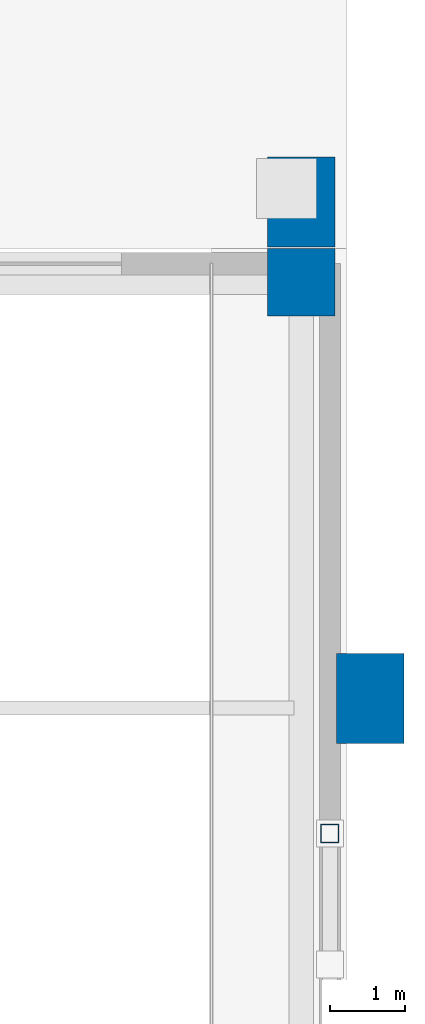
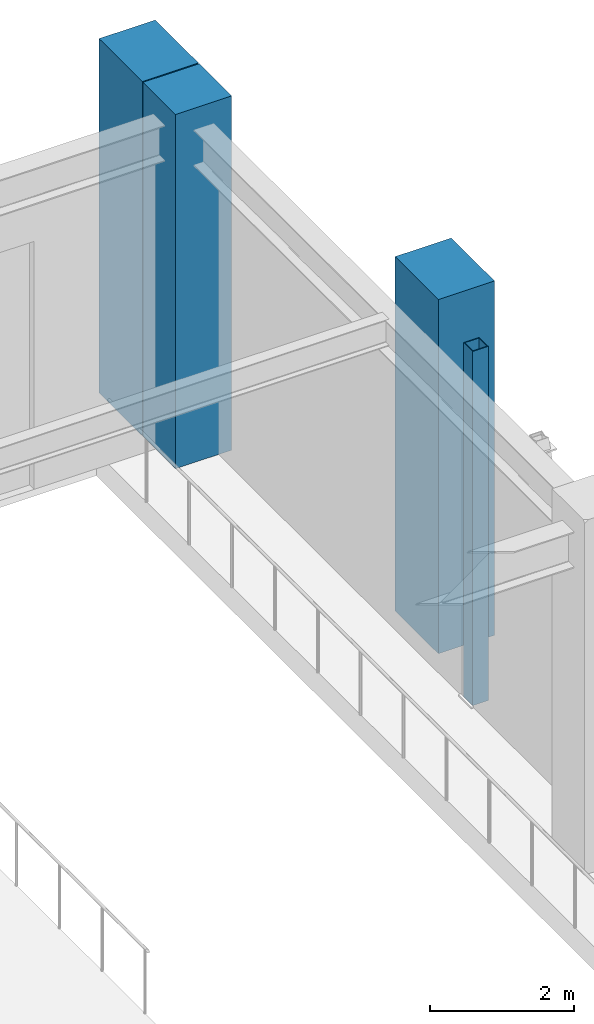
# One storey, part 20 of 143: 4 columns.
"""IFC4 building model written with IfcOpenShell, lengths in metres."""

from ifc_helpers import new_model, si_unit, derived_unit, direction, frame, origin, origin_2d, place, context, subcontext, project, spatial, rectangle, hollow_rectangle, extrude, material, material_profile, profile_set, type_object, element, save


model = new_model("IFC4")

# Units and contexts
model_context = context("Model", 3, precision=1e-05, world=origin(), true_north=direction((0.0, 1.0)))
body_context = subcontext(model_context, "Body", "Model", "MODEL_VIEW")
ifc_project = project(units=[si_unit("LENGTHUNIT", "METRE"), si_unit("AREAUNIT", "SQUARE_METRE"), si_unit("VOLUMEUNIT", "CUBIC_METRE"), si_unit("PLANEANGLEUNIT", "RADIAN"), si_unit("MASSUNIT", "GRAM", prefix="KILO"), derived_unit("THERMALTRANSMITTANCEUNIT", [(si_unit("MASSUNIT", "GRAM", prefix="KILO"), 1), (si_unit("TIMEUNIT", "SECOND"), -3), (si_unit("THERMODYNAMICTEMPERATUREUNIT", "KELVIN"), -1)])], contexts=[model_context])

# Site, building, storey
site_placement = place(None, origin())
site = spatial("IfcSite", under=ifc_project, at=site_placement, CompositionType="ELEMENT")
building_placement = place(site_placement, origin())
building = spatial("IfcBuilding", under=site, at=building_placement, Name="Valcora Ridge Arena", CompositionType="ELEMENT")
storey_placement = place(building_placement, origin())
storey = spatial("IfcBuildingStorey", under=building, at=storey_placement, Name="L00", CompositionType="ELEMENT", Elevation=0.0)

# Columns
ifc_material_1 = material(Name="Bush-hammered Andean travertine architectural concrete C45/55", Category="masonry")
ifc_material_profile_1 = material_profile(ifc_material_1, rectangle(XDim=0.89990234375, YDim=1.199951171875, at=origin_2d()), Name="RC 900x1200")
ifc_profile_set_1 = profile_set([ifc_material_profile_1], Name="Bush-hammered Andean travertine architectural concrete C45/55")
column_type_1 = type_object("IfcColumnType", Name="TY-COLUMN-C-BUTT-1200", PredefinedType="PILASTER", material=ifc_profile_set_1)
for number, where, z_axis, x_axis, name in (
    (1, (191.39990234375, 132.6201171875, 0.0), (0.0, 0.0, 1.0), (1.0, 0.0, 0.0), "C-BUTT-1200 COL-C-BUTT-1200-0192"),
    (2, (192.320068359375, 126.0, 0.0), (0.0, 0.0, 1.0), (1.0, 0.0, 0.0), "C-BUTT-1200 COL-C-BUTT-1200-0224"),
):
    element("IfcColumn", number, at=place(storey_placement, frame(where, z_axis=z_axis, x_axis=x_axis)), inside=storey, type_object=column_type_1, Name=name, PredefinedType="PILASTER", context=body_context, shape_type="SweptSolid", body=[
        extrude(rectangle(XDim=0.89990234375, YDim=1.199951171875, at=origin_2d()), origin(), (0.0, 0.0, 1.0), 6.0),
    ])
ifc_material_2 = material(Name="Steel ASTM A500 Grade C", Category="steel")
ifc_material_profile_2 = material_profile(ifc_material_2, hollow_rectangle(XDim=0.25, YDim=0.25, WallThickness=0.012451171875, at=origin_2d()), Name="HSS250X250X12")
ifc_profile_set_2 = profile_set([ifc_material_profile_2], Name="Steel ASTM A500 Grade C")
column_type_2 = type_object("IfcColumnType", Name="TY-COLUMN-C-CBF250", PredefinedType="COLUMN", material=ifc_profile_set_2)
column_1_placement = place(storey_placement, frame((191.780029296875, 124.199951171875, 0.0), z_axis=(0.0, 0.0, 1.0), x_axis=(1.0, 0.0, 0.0)))
element("IfcColumn", 3, at=column_1_placement, inside=storey, type_object=column_type_2, Name="C-CBF250 COL-CBF-C-CBF250-0018", PredefinedType="COLUMN", context=body_context, shape_type="SweptSolid", body=[
    extrude(hollow_rectangle(XDim=0.25, YDim=0.25, WallThickness=0.012451171875, at=origin_2d()), origin(), (0.0, 0.0, 1.0), 6.0),
])
ifc_material_3 = material(Name="Concrete C40/50", Category="concrete")
ifc_material_profile_3 = material_profile(ifc_material_3, rectangle(XDim=0.89990234375, YDim=0.89990234375, at=origin_2d()), Name="RC 900x900")
ifc_profile_set_3 = profile_set([ifc_material_profile_3], Name="Concrete C40/50")
column_type_3 = type_object("IfcColumnType", Name="TY-COLUMN-C-RC900B", PredefinedType="COLUMN", material=ifc_profile_set_3)
column_2_placement = place(storey_placement, frame((191.39990234375, 131.550048828125, 0.0), z_axis=(0.0, 0.0, 1.0), x_axis=(1.0, 0.0, 0.0)))
element("IfcColumn", 4, at=column_2_placement, inside=storey, type_object=column_type_3, Name="C-RC900B COL-C-RC900B-0134", PredefinedType="COLUMN", context=body_context, shape_type="SweptSolid", body=[
    extrude(rectangle(XDim=0.89990234375, YDim=0.89990234375, at=origin_2d()), origin(), (0.0, 0.0, 1.0), 6.0),
])

save(model, "model.ifc")
